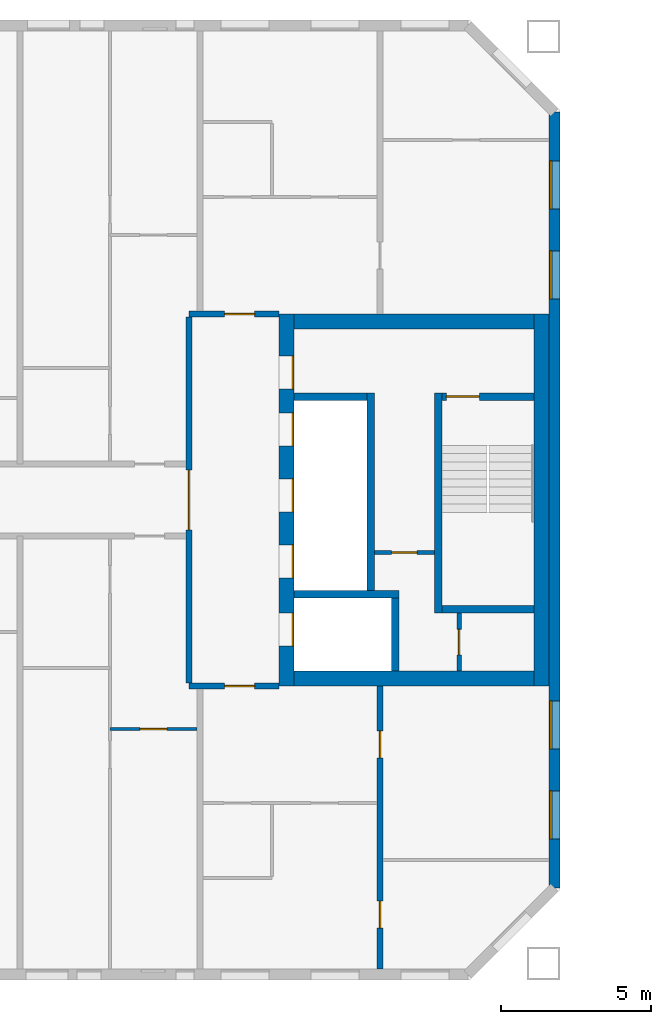
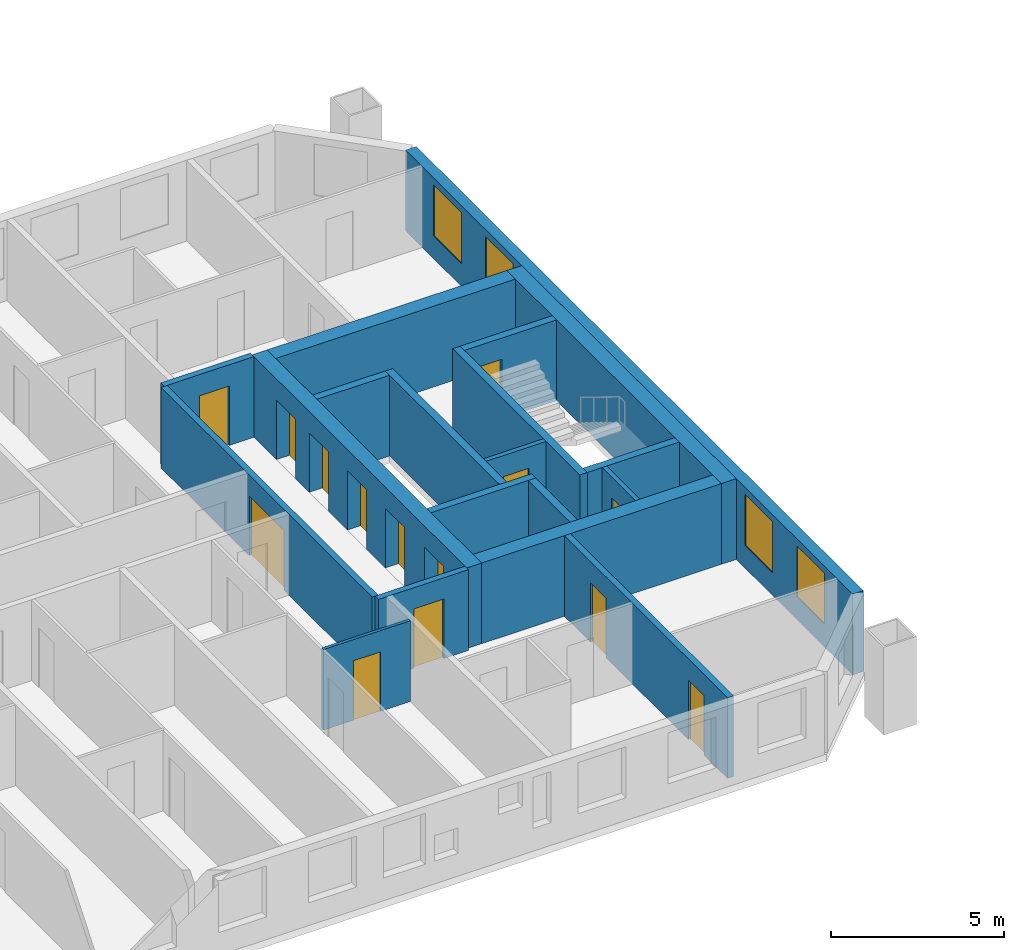
# One storey, part 7 of 16: 19 walls, 14 doors, 4 windows, 18 openings.
"""IFC4 building model written with IfcOpenShell, lengths in metres."""

from ifc_helpers import new_model, si_unit, direction, frame, frame_2d, origin, place, context, subcontext, project, spatial, rectangle, extrude, material, layer, layer_set, type_object, element, fill, save


model = new_model("IFC4")

# Units and contexts
model_context = context("Model", 3, precision=1e-05, world=origin(), true_north=direction((0.0, 1.0)))
body_context = subcontext(model_context, "Body", "Model", "MODEL_VIEW")
ifc_project = project(units=[si_unit("LENGTHUNIT", "METRE"), si_unit("AREAUNIT", "SQUARE_METRE"), si_unit("VOLUMEUNIT", "CUBIC_METRE"), si_unit("PLANEANGLEUNIT", "RADIAN"), si_unit("MASSUNIT", "GRAM", prefix="KILO")], contexts=[model_context])

# Site, building, storey
site_placement = place(None, origin())
site = spatial("IfcSite", under=ifc_project, at=site_placement, CompositionType="ELEMENT")
building_placement = place(site_placement, origin())
building = spatial("IfcBuilding", under=site, at=building_placement, Name="Tuart Gate Housing", CompositionType="ELEMENT")
storey_placement = place(building_placement, frame((0.0, 0.0, 157.800048828125)))
storey = spatial("IfcBuildingStorey", under=building, at=storey_placement, Name="L44", CompositionType="ELEMENT", Elevation=157.800048828125)

# Wall, openings, windows
ifc_material_1 = material(Name="Brick", Category="masonry")
ifc_layer_1 = layer(ifc_material_1, 0.360107421875)
ifc_layer_set_1 = layer_set([ifc_layer_1], Name="Brick pier and spandrel wall 360")
wall_type_1 = type_object("IfcWallType", Name="Brick pier and spandrel wall 360", PredefinedType="STANDARD", material=ifc_layer_set_1)
wall_1_placement = place(storey_placement, frame((75.820068359375, 57.07470703125, 0.0), z_axis=(0.0, 0.0, 1.0), x_axis=(0.0, 1.0, 0.0)))
wall_1 = element("IfcWall", 1, at=wall_1_placement, inside=storey, type_object=wall_type_1, Name="External wall A-E L44", PredefinedType="STANDARD", context=body_context, shape_type="SweptSolid", body=[
    extrude(rectangle(XDim=25.850830078125, YDim=0.360107421875, at=frame_2d((12.92529296875, 0.0))), origin(), (0.0, 0.0, 1.0), 2.849853515625),
])
opening_1_placement = place(wall_1_placement, frame((1.62548828125, 0.0, 0.800048828125)))
opening_1 = element("IfcOpeningElement", 2, at=opening_1_placement, cuts=wall_1, Name="Opening W1", PredefinedType="OPENING", context=body_context, shape_type="SweptSolid", body=[
    extrude(rectangle(XDim=1.60009765625, YDim=1.800048828125, at=frame_2d((0.800048828125, 0.89990234375))), frame((0.0, 0.18994140625, 0.0), z_axis=(0.0, -1.0, 0.0), x_axis=(1.0, 0.0, 0.0)), (0.0, 0.0, 1.0), 0.380126953125),
])
opening_2_placement = place(wall_1_placement, frame((4.62548828125, 0.0, 0.800048828125)))
opening_2 = element("IfcOpeningElement", 3, at=opening_2_placement, cuts=wall_1, Name="Opening W1", PredefinedType="OPENING", context=body_context, shape_type="SweptSolid", body=[
    extrude(rectangle(XDim=1.60009765625, YDim=1.800048828125, at=frame_2d((0.800048828125, 0.89990234375))), frame((0.0, 0.18994140625, 0.0), z_axis=(0.0, -1.0, 0.0), x_axis=(1.0, 0.0, 0.0)), (0.0, 0.0, 1.0), 0.380126953125),
])
opening_3_placement = place(wall_1_placement, frame((19.62548828125, 0.0, 0.800048828125)))
opening_3 = element("IfcOpeningElement", 4, at=opening_3_placement, cuts=wall_1, Name="Opening W1", PredefinedType="OPENING", context=body_context, shape_type="SweptSolid", body=[
    extrude(rectangle(XDim=1.60009765625, YDim=1.800048828125, at=frame_2d((0.800048828125, 0.89990234375))), frame((0.0, 0.18994140625, 0.0), z_axis=(0.0, -1.0, 0.0), x_axis=(1.0, 0.0, 0.0)), (0.0, 0.0, 1.0), 0.380126953125),
])
opening_4_placement = place(wall_1_placement, frame((22.62548828125, 0.0, 0.800048828125)))
opening_4 = element("IfcOpeningElement", 5, at=opening_4_placement, cuts=wall_1, Name="Opening W1", PredefinedType="OPENING", context=body_context, shape_type="SweptSolid", body=[
    extrude(rectangle(XDim=1.60009765625, YDim=1.800048828125, at=frame_2d((0.800048828125, 0.89990234375))), frame((0.0, 0.18994140625, 0.0), z_axis=(0.0, -1.0, 0.0), x_axis=(1.0, 0.0, 0.0)), (0.0, 0.0, 1.0), 0.380126953125),
])
ifc_material_2 = material(Name="Aluminium frame with clear glass", Category="aluminium")
window_type = type_object("IfcWindowType", Name="Punched window 1600 x 1800", PartitioningType="SINGLE_PANEL", PredefinedType="WINDOW", material=ifc_material_2)
window_1_placement = place(opening_1_placement, origin())
window_1 = element("IfcWindow", 6, at=window_1_placement, inside=storey, type_object=window_type, Name="Window W1", OverallHeight=1.800048828125, OverallWidth=1.60009765625, PartitioningType="SINGLE_PANEL", PredefinedType="WINDOW", context=body_context, shape_type="SweptSolid", body=[
    extrude(rectangle(XDim=1.60009765625, YDim=1.800048828125, at=frame_2d((0.800048828125, 0.89990234375))), frame((0.0, 0.150146484375, 0.0), z_axis=(0.0, -1.0, 0.0), x_axis=(1.0, 0.0, 0.0)), (0.0, 0.0, 1.0), 0.06005859375),
])
fill(opening_1, window_1)
window_2_placement = place(opening_2_placement, origin())
window_2 = element("IfcWindow", 7, at=window_2_placement, inside=storey, type_object=window_type, Name="Window W1", OverallHeight=1.800048828125, OverallWidth=1.60009765625, PartitioningType="SINGLE_PANEL", PredefinedType="WINDOW", context=body_context, shape_type="SweptSolid", body=[
    extrude(rectangle(XDim=1.60009765625, YDim=1.800048828125, at=frame_2d((0.800048828125, 0.89990234375))), frame((0.0, 0.150146484375, 0.0), z_axis=(0.0, -1.0, 0.0), x_axis=(1.0, 0.0, 0.0)), (0.0, 0.0, 1.0), 0.06005859375),
])
fill(opening_2, window_2)
window_3_placement = place(opening_3_placement, origin())
window_3 = element("IfcWindow", 8, at=window_3_placement, inside=storey, type_object=window_type, Name="Window W1", OverallHeight=1.800048828125, OverallWidth=1.60009765625, PartitioningType="SINGLE_PANEL", PredefinedType="WINDOW", context=body_context, shape_type="SweptSolid", body=[
    extrude(rectangle(XDim=1.60009765625, YDim=1.800048828125, at=frame_2d((0.800048828125, 0.89990234375))), frame((0.0, 0.150146484375, 0.0), z_axis=(0.0, -1.0, 0.0), x_axis=(1.0, 0.0, 0.0)), (0.0, 0.0, 1.0), 0.06005859375),
])
fill(opening_3, window_3)
window_4_placement = place(opening_4_placement, origin())
window_4 = element("IfcWindow", 9, at=window_4_placement, inside=storey, type_object=window_type, Name="Window W1", OverallHeight=1.800048828125, OverallWidth=1.60009765625, PartitioningType="SINGLE_PANEL", PredefinedType="WINDOW", context=body_context, shape_type="SweptSolid", body=[
    extrude(rectangle(XDim=1.60009765625, YDim=1.800048828125, at=frame_2d((0.800048828125, 0.89990234375))), frame((0.0, 0.150146484375, 0.0), z_axis=(0.0, -1.0, 0.0), x_axis=(1.0, 0.0, 0.0)), (0.0, 0.0, 1.0), 0.06005859375),
])
fill(opening_4, window_4)

# Wall, opening, door
ifc_material_3 = material(Name="Plasterboard partition")
ifc_layer_2 = layer(ifc_material_3, 0.14990234375)
ifc_layer_set_2 = layer_set([ifc_layer_2], Name="Core partition 150")
wall_type_2 = type_object("IfcWallType", Name="Core partition 150", PredefinedType="PARTITIONING", material=ifc_layer_set_2)
wall_2_placement = place(storey_placement, frame((69.81494140625, 68.25, 0.0), z_axis=(0.0, 0.0, 1.0), x_axis=(1.0, 0.0, 0.0)))
wall_2 = element("IfcWall", 10, at=wall_2_placement, inside=storey, type_object=wall_type_2, Name="Core partition AG.3", PredefinedType="PARTITIONING", context=body_context, shape_type="SweptSolid", body=[
    extrude(rectangle(XDim=2.0, YDim=0.14990234375, at=frame_2d((1.0, 0.0))), origin(), (0.0, 0.0, 1.0), 2.849853515625),
])
opening_5_placement = place(wall_2_placement, frame((0.574951171875, 0.0, 0.0)))
opening_5 = element("IfcOpeningElement", 11, at=opening_5_placement, cuts=wall_2, Name="Opening D1658", PredefinedType="OPENING", context=body_context, shape_type="SweptSolid", body=[
    extrude(rectangle(XDim=0.85009765625, YDim=2.10009765625, at=frame_2d((0.425048828125, 1.050048828125))), frame((0.0, 0.0849609375, 0.0), z_axis=(0.0, -1.0, 0.0), x_axis=(1.0, 0.0, 0.0)), (0.0, 0.0, 1.0), 0.169921875),
])
ifc_material_4 = material(Name="Steel fire door", Category="steel")
door_type_1 = type_object("IfcDoorType", Name="Riser door 850 x 2100 RH", OperationType="SINGLE_SWING_RIGHT", PredefinedType="DOOR", material=ifc_material_4)
door_1_placement = place(opening_5_placement, frame((0.85009765625, 0.0, 0.0), z_axis=(0.0, 0.0, 1.0), x_axis=(-1.0, 0.0, 0.0)))
door_1 = element("IfcDoor", 12, at=door_1_placement, inside=storey, type_object=door_type_1, Name="Service room door AG.E1", OperationType="SINGLE_SWING_RIGHT", OverallHeight=2.10009765625, OverallWidth=0.85009765625, PredefinedType="DOOR", context=body_context, shape_type="SweptSolid", body=[
    extrude(rectangle(XDim=0.85009765625, YDim=2.10009765625, at=frame_2d((0.425048828125, 1.050048828125))), frame((0.0, 0.025146484375, 0.0), z_axis=(0.0, -1.0, 0.0), x_axis=(1.0, 0.0, 0.0)), (0.0, 0.0, 1.0), 0.050048828125),
])
fill(opening_5, door_1)

wall_3_placement = place(storey_placement, frame((72.639892578125, 64.300048828125, 0.0), z_axis=(0.0, 0.0, 1.0), x_axis=(0.0, 1.0, 0.0)))
wall_3 = element("IfcWall", 13, at=wall_3_placement, inside=storey, type_object=wall_type_2, Name="Core partition AG.9", PredefinedType="PARTITIONING", context=body_context, shape_type="SweptSolid", body=[
    extrude(rectangle(XDim=1.925048828125, YDim=0.14990234375, at=frame_2d((0.96240234375, 0.0))), origin(), (0.0, 0.0, 1.0), 2.849853515625),
])
opening_6_placement = place(wall_3_placement, frame((0.53759765625, 0.0, 0.0)))
opening_6 = element("IfcOpeningElement", 14, at=opening_6_placement, cuts=wall_3, Name="Opening D1660", PredefinedType="OPENING", context=body_context, shape_type="SweptSolid", body=[
    extrude(rectangle(XDim=0.85009765625, YDim=2.10009765625, at=frame_2d((0.425048828125, 1.050048828125))), frame((0.0, 0.0849609375, 0.0), z_axis=(0.0, -1.0, 0.0), x_axis=(1.0, 0.0, 0.0)), (0.0, 0.0, 1.0), 0.169921875),
])
ifc_material_5 = material(Name="Steel fire door", Category="steel")
door_type_2 = type_object("IfcDoorType", Name="Service door 850 x 2100", OperationType="SINGLE_SWING_LEFT", PredefinedType="DOOR", material=ifc_material_5)
door_2_placement = place(opening_6_placement, origin())
door_2 = element("IfcDoor", 15, at=door_2_placement, inside=storey, type_object=door_type_2, Name="Service room door AG.E2", OperationType="SINGLE_SWING_LEFT", OverallHeight=2.10009765625, OverallWidth=0.85009765625, PredefinedType="DOOR", context=body_context, shape_type="SweptSolid", body=[
    extrude(rectangle(XDim=0.85009765625, YDim=2.10009765625, at=frame_2d((0.425048828125, 1.050048828125))), frame((0.0, 0.02490234375, 0.0), z_axis=(0.0, -1.0, 0.0), x_axis=(1.0, 0.0, 0.0)), (0.0, 0.0, 1.0), 0.050048828125),
])
fill(opening_6, door_2)

# Walls
ifc_material_6 = material(Name="Concrete C40", Category="concrete")
ifc_layer_3 = layer(ifc_material_6, 0.25)
ifc_layer_set_3 = layer_set([ifc_layer_3], Name="Core wall 250 C40")
wall_type_3 = type_object("IfcWallType", Name="Core wall 250 C40", PredefinedType="SHEAR", material=ifc_layer_set_3)
wall_4_placement = place(storey_placement, frame((72.06494140625, 66.35009765625, 0.0), z_axis=(0.0, 0.0, 1.0), x_axis=(1.0, 0.0, 0.0)))
element("IfcWall", 16, at=wall_4_placement, inside=storey, type_object=wall_type_3, Name="Core wall AG.1", PredefinedType="SHEAR", context=body_context, shape_type="SweptSolid", body=[
    extrude(rectangle(XDim=3.074951171875, YDim=0.25, at=frame_2d((1.53759765625, 0.0))), origin(), (0.0, 0.0, 1.0), 2.849853515625),
])
wall_5_placement = place(storey_placement, frame((67.139892578125, 66.85009765625, 0.0), z_axis=(0.0, 0.0, 1.0), x_axis=(1.0, 0.0, 0.0)))
element("IfcWall", 17, at=wall_5_placement, inside=storey, type_object=wall_type_3, Name="Core wall AG.2", PredefinedType="SHEAR", context=body_context, shape_type="SweptSolid", body=[
    extrude(rectangle(XDim=3.4951171875, YDim=0.25, at=frame_2d((1.74755859375, 0.0))), origin(), (0.0, 0.0, 1.0), 2.849853515625),
])
wall_6_placement = place(storey_placement, frame((67.139892578125, 73.449951171875, 0.0), z_axis=(0.0, 0.0, 1.0), x_axis=(1.0, 0.0, 0.0)))
element("IfcWall", 18, at=wall_6_placement, inside=storey, type_object=wall_type_3, Name="Core wall AG.4", PredefinedType="SHEAR", context=body_context, shape_type="SweptSolid", body=[
    extrude(rectangle(XDim=2.425048828125, YDim=0.25, at=frame_2d((1.21240234375, 0.0))), origin(), (0.0, 0.0, 1.0), 2.849853515625),
])

# Wall, opening, door
wall_7_placement = place(storey_placement, frame((72.06494140625, 73.449951171875, 0.0), z_axis=(0.0, 0.0, 1.0), x_axis=(1.0, 0.0, 0.0)))
wall_7 = element("IfcWall", 19, at=wall_7_placement, inside=storey, type_object=wall_type_3, Name="Core wall AG.5", PredefinedType="SHEAR", context=body_context, shape_type="SweptSolid", body=[
    extrude(rectangle(XDim=3.074951171875, YDim=0.25, at=frame_2d((1.53759765625, 0.0))), origin(), (0.0, 0.0, 1.0), 2.849853515625),
])
opening_7_placement = place(wall_7_placement, frame((0.14990234375, 0.0, 0.0)))
opening_7 = element("IfcOpeningElement", 20, at=opening_7_placement, cuts=wall_7, Name="Opening D1643", PredefinedType="OPENING", context=body_context, shape_type="SweptSolid", body=[
    extrude(rectangle(XDim=1.10009765625, YDim=2.10009765625, at=frame_2d((0.550048828125, 1.050048828125))), frame((0.0, 0.135009765625, 0.0), z_axis=(0.0, -1.0, 0.0), x_axis=(1.0, 0.0, 0.0)), (0.0, 0.0, 1.0), 0.27001953125),
])
ifc_material_7 = material(Name="Steel fire door", Category="steel")
door_type_3 = type_object("IfcDoorType", Name="Stair door 1100 x 2100 RH", OperationType="SINGLE_SWING_RIGHT", PredefinedType="DOOR", material=ifc_material_7)
door_3_placement = place(opening_7_placement, frame((1.10009765625, 0.0, 0.0), z_axis=(0.0, 0.0, 1.0), x_axis=(-1.0, 0.0, 0.0)))
door_3 = element("IfcDoor", 21, at=door_3_placement, inside=storey, type_object=door_type_3, Name="Stair door AG.SD", OperationType="SINGLE_SWING_RIGHT", OverallHeight=2.10009765625, OverallWidth=1.10009765625, PredefinedType="DOOR", context=body_context, shape_type="SweptSolid", body=[
    extrude(rectangle(XDim=1.10009765625, YDim=2.10009765625, at=frame_2d((0.550048828125, 1.050048828125))), frame((0.0, 0.025146484375, 0.0), z_axis=(0.0, -1.0, 0.0), x_axis=(1.0, 0.0, 0.0)), (0.0, 0.0, 1.0), 0.050048828125),
])
fill(opening_7, door_3)

# Walls
wall_8_placement = place(storey_placement, frame((69.68994140625, 66.97509765625, 0.0), z_axis=(0.0, 0.0, 1.0), x_axis=(0.0, 1.0, 0.0)))
element("IfcWall", 22, at=wall_8_placement, inside=storey, type_object=wall_type_3, Name="Core wall AG.6", PredefinedType="SHEAR", context=body_context, shape_type="SweptSolid", body=[
    extrude(rectangle(XDim=6.599853515625, YDim=0.25, at=frame_2d((3.2998046875, 0.0))), origin(), (0.0, 0.0, 1.0), 2.849853515625),
])
wall_9_placement = place(storey_placement, frame((70.510009765625, 64.300048828125, 0.0), z_axis=(0.0, 0.0, 1.0), x_axis=(0.0, 1.0, 0.0)))
element("IfcWall", 23, at=wall_9_placement, inside=storey, type_object=wall_type_3, Name="Core wall AG.7", PredefinedType="SHEAR", context=body_context, shape_type="SweptSolid", body=[
    extrude(rectangle(XDim=2.425048828125, YDim=0.25, at=frame_2d((1.21240234375, 0.0))), origin(), (0.0, 0.0, 1.0), 2.849853515625),
])
wall_10_placement = place(storey_placement, frame((71.93994140625, 66.22509765625, 0.0), z_axis=(0.0, 0.0, 1.0), x_axis=(0.0, 1.0, 0.0)))
element("IfcWall", 24, at=wall_10_placement, inside=storey, type_object=wall_type_3, Name="Core wall AG.8", PredefinedType="SHEAR", context=body_context, shape_type="SweptSolid", body=[
    extrude(rectangle(XDim=7.349853515625, YDim=0.25, at=frame_2d((3.6748046875, 0.0))), origin(), (0.0, 0.0, 1.0), 2.849853515625),
])

# Wall, openings, doors
ifc_material_8 = material(Name="Concrete C40", Category="concrete")
ifc_layer_4 = layer(ifc_material_8, 0.5)
ifc_layer_set_4 = layer_set([ifc_layer_4], Name="Core wall 500 C40")
wall_type_4 = type_object("IfcWallType", Name="Core wall 500 C40", PredefinedType="SHEAR", material=ifc_layer_set_4)
wall_11_placement = place(storey_placement, frame((66.889892578125, 63.800048828125, 0.0), z_axis=(0.0, 0.0, 1.0), x_axis=(0.0, 1.0, 0.0)))
wall_11 = element("IfcWall", 25, at=wall_11_placement, inside=storey, type_object=wall_type_4, Name="Core wall AG front", PredefinedType="SHEAR", context=body_context, shape_type="SweptSolid", body=[
    extrude(rectangle(XDim=12.39990234375, YDim=0.5, at=frame_2d((6.199951171875, 0.0))), origin(), (0.0, 0.0, 1.0), 2.849853515625),
])
opening_8_placement = place(wall_11_placement, frame((1.324951171875, 0.0, 0.0)))
opening_8 = element("IfcOpeningElement", 26, at=opening_8_placement, cuts=wall_11, Name="Opening LD-FA1", PredefinedType="OPENING", context=body_context, shape_type="SweptSolid", body=[
    extrude(rectangle(XDim=1.10009765625, YDim=2.10009765625, at=frame_2d((0.550048828125, 1.050048828125))), frame((0.0, 0.260009765625, 0.0), z_axis=(0.0, -1.0, 0.0), x_axis=(1.0, 0.0, 0.0)), (0.0, 0.0, 1.0), 0.52001953125),
])
opening_9_placement = place(wall_11_placement, frame((3.60009765625, 0.0, 0.0)))
opening_9 = element("IfcOpeningElement", 27, at=opening_9_placement, cuts=wall_11, Name="Opening LD-LA1", PredefinedType="OPENING", context=body_context, shape_type="SweptSolid", body=[
    extrude(rectangle(XDim=1.10009765625, YDim=2.10009765625, at=frame_2d((0.550048828125, 1.050048828125))), frame((0.0, 0.260009765625, 0.0), z_axis=(0.0, -1.0, 0.0), x_axis=(1.0, 0.0, 0.0)), (0.0, 0.0, 1.0), 0.52001953125),
])
opening_10_placement = place(wall_11_placement, frame((5.800048828125, 0.0, 0.0)))
opening_10 = element("IfcOpeningElement", 28, at=opening_10_placement, cuts=wall_11, Name="Opening LD-LA2", PredefinedType="OPENING", context=body_context, shape_type="SweptSolid", body=[
    extrude(rectangle(XDim=1.10009765625, YDim=2.10009765625, at=frame_2d((0.550048828125, 1.050048828125))), frame((0.0, 0.260009765625, 0.0), z_axis=(0.0, -1.0, 0.0), x_axis=(1.0, 0.0, 0.0)), (0.0, 0.0, 1.0), 0.52001953125),
])
opening_11_placement = place(wall_11_placement, frame((8.0, 0.0, 0.0)))
opening_11 = element("IfcOpeningElement", 29, at=opening_11_placement, cuts=wall_11, Name="Opening LD-LA3", PredefinedType="OPENING", context=body_context, shape_type="SweptSolid", body=[
    extrude(rectangle(XDim=1.10009765625, YDim=2.10009765625, at=frame_2d((0.550048828125, 1.050048828125))), frame((0.0, 0.260009765625, 0.0), z_axis=(0.0, -1.0, 0.0), x_axis=(1.0, 0.0, 0.0)), (0.0, 0.0, 1.0), 0.52001953125),
])
opening_12_placement = place(wall_11_placement, frame((9.89990234375, 0.0, 0.0)))
opening_12 = element("IfcOpeningElement", 30, at=opening_12_placement, cuts=wall_11, Name="Opening D1654", PredefinedType="OPENING", context=body_context, shape_type="SweptSolid", body=[
    extrude(rectangle(XDim=1.10009765625, YDim=2.10009765625, at=frame_2d((0.550048828125, 1.050048828125))), frame((0.0, 0.260009765625, 0.0), z_axis=(0.0, -1.0, 0.0), x_axis=(1.0, 0.0, 0.0)), (0.0, 0.0, 1.0), 0.52001953125),
])
ifc_material_9 = material(Name="Stainless steel", Category="steel")
door_type_4 = type_object("IfcDoorType", Name="Landing door 1100 x 2100", OperationType="DOUBLE_DOOR_SLIDING", PredefinedType="DOOR", material=ifc_material_9)
door_4_placement = place(opening_8_placement, origin())
door_4 = element("IfcDoor", 31, at=door_4_placement, inside=storey, type_object=door_type_4, Name="Lift landing door FA1", OperationType="DOUBLE_DOOR_SLIDING", OverallHeight=2.10009765625, OverallWidth=1.10009765625, PredefinedType="DOOR", context=body_context, shape_type="SweptSolid", body=[
    extrude(rectangle(XDim=1.10009765625, YDim=2.10009765625, at=frame_2d((0.550048828125, 1.050048828125))), frame((0.0, -0.18505859375, 0.0), z_axis=(0.0, -1.0, 0.0), x_axis=(1.0, 0.0, 0.0)), (0.0, 0.0, 1.0), 0.050048828125),
])
fill(opening_8, door_4)
door_5_placement = place(opening_9_placement, origin())
door_5 = element("IfcDoor", 32, at=door_5_placement, inside=storey, type_object=door_type_4, Name="Lift landing door LA1", OperationType="DOUBLE_DOOR_SLIDING", OverallHeight=2.10009765625, OverallWidth=1.10009765625, PredefinedType="DOOR", context=body_context, shape_type="SweptSolid", body=[
    extrude(rectangle(XDim=1.10009765625, YDim=2.10009765625, at=frame_2d((0.550048828125, 1.050048828125))), frame((0.0, -0.18505859375, 0.0), z_axis=(0.0, -1.0, 0.0), x_axis=(1.0, 0.0, 0.0)), (0.0, 0.0, 1.0), 0.050048828125),
])
fill(opening_9, door_5)
door_6_placement = place(opening_10_placement, origin())
door_6 = element("IfcDoor", 33, at=door_6_placement, inside=storey, type_object=door_type_4, Name="Lift landing door LA2", OperationType="DOUBLE_DOOR_SLIDING", OverallHeight=2.10009765625, OverallWidth=1.10009765625, PredefinedType="DOOR", context=body_context, shape_type="SweptSolid", body=[
    extrude(rectangle(XDim=1.10009765625, YDim=2.10009765625, at=frame_2d((0.550048828125, 1.050048828125))), frame((0.0, -0.18505859375, 0.0), z_axis=(0.0, -1.0, 0.0), x_axis=(1.0, 0.0, 0.0)), (0.0, 0.0, 1.0), 0.050048828125),
])
fill(opening_10, door_6)
door_7_placement = place(opening_11_placement, origin())
door_7 = element("IfcDoor", 34, at=door_7_placement, inside=storey, type_object=door_type_4, Name="Lift landing door LA3", OperationType="DOUBLE_DOOR_SLIDING", OverallHeight=2.10009765625, OverallWidth=1.10009765625, PredefinedType="DOOR", context=body_context, shape_type="SweptSolid", body=[
    extrude(rectangle(XDim=1.10009765625, YDim=2.10009765625, at=frame_2d((0.550048828125, 1.050048828125))), frame((0.0, -0.18505859375, 0.0), z_axis=(0.0, -1.0, 0.0), x_axis=(1.0, 0.0, 0.0)), (0.0, 0.0, 1.0), 0.050048828125),
])
fill(opening_11, door_7)
ifc_material_10 = material(Name="Steel fire door", Category="steel")
door_type_5 = type_object("IfcDoorType", Name="Lobby door 1100 x 2100 RH", OperationType="SINGLE_SWING_RIGHT", PredefinedType="DOOR", material=ifc_material_10)
door_8_placement = place(opening_12_placement, frame((1.10009765625, 0.0, 0.0), z_axis=(0.0, 0.0, 1.0), x_axis=(-1.0, 0.0, 0.0)))
door_8 = element("IfcDoor", 35, at=door_8_placement, inside=storey, type_object=door_type_5, Name="Lobby entry door AG.EN", OperationType="SINGLE_SWING_RIGHT", OverallHeight=2.10009765625, OverallWidth=1.10009765625, PredefinedType="DOOR", context=body_context, shape_type="SweptSolid", body=[
    extrude(rectangle(XDim=1.10009765625, YDim=2.10009765625, at=frame_2d((0.550048828125, 1.050048828125))), frame((0.0, 0.235107421875, 0.0), z_axis=(0.0, -1.0, 0.0), x_axis=(1.0, 0.0, 0.0)), (0.0, 0.0, 1.0), 0.050048828125),
])
fill(opening_12, door_8)

# Walls
wall_12_placement = place(storey_placement, frame((75.389892578125, 63.800048828125, 0.0), z_axis=(0.0, 0.0, 1.0), x_axis=(0.0, 1.0, 0.0)))
element("IfcWall", 36, at=wall_12_placement, inside=storey, type_object=wall_type_4, Name="Core wall AG back", PredefinedType="SHEAR", context=body_context, shape_type="SweptSolid", body=[
    extrude(rectangle(XDim=12.39990234375, YDim=0.5, at=frame_2d((6.199951171875, 0.0))), origin(), (0.0, 0.0, 1.0), 2.849853515625),
])
for number, where, z_axis, x_axis, name in (
    (37, (67.139892578125, 64.050048828125, 0.0), (0.0, 0.0, 1.0), (1.0, 0.0, 0.0), "Core wall AG south"),
    (38, (67.139892578125, 75.949951171875, 0.0), (0.0, 0.0, 1.0), (1.0, 0.0, 0.0), "Core wall AG north"),
):
    element("IfcWall", number, at=place(storey_placement, frame(where, z_axis=z_axis, x_axis=x_axis)), inside=storey, type_object=wall_type_4, Name=name, PredefinedType="SHEAR", context=body_context, shape_type="SweptSolid", body=[
        extrude(rectangle(XDim=8.0, YDim=0.5, at=frame_2d((4.0, 0.0))), origin(), (0.0, 0.0, 1.0), 2.849853515625),
    ])

# Wall, opening, door
ifc_material_11 = material(Name="Concrete masonry 15 MPa", Category="masonry")
ifc_layer_5 = layer(ifc_material_11, 0.199951171875)
ifc_layer_set_5 = layer_set([ifc_layer_5], Name="Enclosure wall masonry 200")
wall_type_5 = type_object("IfcWallType", Name="Enclosure wall masonry 200", PredefinedType="PARTITIONING", material=ifc_layer_set_5)
wall_13_placement = place(storey_placement, frame((63.639892578125, 63.800048828125, 0.0), z_axis=(0.0, 0.0, 1.0), x_axis=(1.0, 0.0, 0.0)))
wall_13 = element("IfcWall", 39, at=wall_13_placement, inside=storey, type_object=wall_type_5, Name="Enclosure wall masonry 200", PredefinedType="PARTITIONING", context=body_context, shape_type="SweptSolid", body=[
    extrude(rectangle(XDim=3.0, YDim=0.199951171875, at=frame_2d((1.5, 0.0))), origin(), (0.0, 0.0, 1.0), 2.849853515625),
])
opening_13_placement = place(wall_13_placement, frame((1.179931640625, 0.0, 0.0)))
opening_13 = element("IfcOpeningElement", 40, at=opening_13_placement, cuts=wall_13, Name="Opening D1662", PredefinedType="OPENING", context=body_context, shape_type="SweptSolid", body=[
    extrude(rectangle(XDim=1.0, YDim=2.10009765625, at=frame_2d((0.5, 1.050048828125))), frame((0.0, 0.10986328125, 0.0), z_axis=(0.0, -1.0, 0.0), x_axis=(1.0, 0.0, 0.0)), (0.0, 0.0, 1.0), 0.219970703125),
])
ifc_material_12 = material(Name="Timber door leaf in steel frame", Category="steel")
door_type_6 = type_object("IfcDoorType", Name="Flat entrance door 1000 RH", OperationType="SINGLE_SWING_RIGHT", PredefinedType="DOOR", material=ifc_material_12)
door_9_placement = place(opening_13_placement, frame((1.0, 0.0, 0.0), z_axis=(0.0, 0.0, 1.0), x_axis=(-1.0, 0.0, 0.0)))
door_9 = element("IfcDoor", 41, at=door_9_placement, inside=storey, type_object=door_type_6, Name="Flat entrance door", OperationType="SINGLE_SWING_RIGHT", OverallHeight=2.10009765625, OverallWidth=1.0, PredefinedType="DOOR", context=body_context, shape_type="SweptSolid", body=[
    extrude(rectangle(XDim=1.0, YDim=2.10009765625, at=frame_2d((0.5, 1.050048828125))), frame((0.0, 0.025146484375, 0.0), z_axis=(0.0, -1.0, 0.0), x_axis=(1.0, 0.0, 0.0)), (0.0, 0.0, 1.0), 0.050048828125),
])
fill(opening_13, door_9)

wall_14_placement = place(storey_placement, frame((63.639892578125, 76.199951171875, 0.0), z_axis=(0.0, 0.0, 1.0), x_axis=(1.0, 0.0, 0.0)))
wall_14 = element("IfcWall", 42, at=wall_14_placement, inside=storey, type_object=wall_type_5, Name="Enclosure wall masonry 200", PredefinedType="PARTITIONING", context=body_context, shape_type="SweptSolid", body=[
    extrude(rectangle(XDim=3.0, YDim=0.199951171875, at=frame_2d((1.5, 0.0))), origin(), (0.0, 0.0, 1.0), 2.849853515625),
])
opening_14_placement = place(wall_14_placement, frame((1.179931640625, 0.0, 0.0)))
opening_14 = element("IfcOpeningElement", 43, at=opening_14_placement, cuts=wall_14, Name="Opening D1642", PredefinedType="OPENING", context=body_context, shape_type="SweptSolid", body=[
    extrude(rectangle(XDim=1.0, YDim=2.10009765625, at=frame_2d((0.5, 1.050048828125))), frame((0.0, 0.10986328125, 0.0), z_axis=(0.0, -1.0, 0.0), x_axis=(1.0, 0.0, 0.0)), (0.0, 0.0, 1.0), 0.219970703125),
])
ifc_material_13 = material(Name="Timber door leaf in steel frame", Category="steel")
door_type_7 = type_object("IfcDoorType", Name="Flat entrance door 1000", OperationType="SINGLE_SWING_LEFT", PredefinedType="DOOR", material=ifc_material_13)
door_10_placement = place(opening_14_placement, origin())
door_10 = element("IfcDoor", 44, at=door_10_placement, inside=storey, type_object=door_type_7, Name="Flat entrance door", OperationType="SINGLE_SWING_LEFT", OverallHeight=2.10009765625, OverallWidth=1.0, PredefinedType="DOOR", context=body_context, shape_type="SweptSolid", body=[
    extrude(rectangle(XDim=1.0, YDim=2.10009765625, at=frame_2d((0.5, 1.050048828125))), frame((0.0, 0.02490234375, 0.0), z_axis=(0.0, -1.0, 0.0), x_axis=(1.0, 0.0, 0.0)), (0.0, 0.0, 1.0), 0.050048828125),
])
fill(opening_14, door_10)

ifc_material_14 = material(Name="Plasterboard partition")
ifc_layer_6 = layer(ifc_material_14, 0.199951171875)
ifc_layer_set_6 = layer_set([ifc_layer_6], Name="Lobby wall 200")
wall_type_6 = type_object("IfcWallType", Name="Lobby wall 200", PredefinedType="PARTITIONING", material=ifc_layer_set_6)
wall_15_placement = place(storey_placement, frame((63.639892578125, 63.89990234375, 0.0), z_axis=(0.0, 0.0, 1.0), x_axis=(0.0, 1.0, 0.0)))
wall_15 = element("IfcWall", 45, at=wall_15_placement, inside=storey, type_object=wall_type_6, Name="Lift lobby wall AG", PredefinedType="PARTITIONING", context=body_context, shape_type="SweptSolid", body=[
    extrude(rectangle(XDim=12.2001953125, YDim=0.199951171875, at=frame_2d((6.10009765625, 0.0))), origin(), (0.0, 0.0, 1.0), 2.849853515625),
])
opening_15_placement = place(wall_15_placement, frame((5.10009765625, 0.0, 0.0)))
opening_15 = element("IfcOpeningElement", 46, at=opening_15_placement, cuts=wall_15, Name="Opening D1653", PredefinedType="OPENING", context=body_context, shape_type="SweptSolid", body=[
    extrude(rectangle(XDim=2.0, YDim=2.10009765625, at=frame_2d((1.0, 1.050048828125))), frame((0.0, 0.10986328125, 0.0), z_axis=(0.0, -1.0, 0.0), x_axis=(1.0, 0.0, 0.0)), (0.0, 0.0, 1.0), 0.219970703125),
])
ifc_material_15 = material(Name="Steel fire door", Category="steel")
door_type_8 = type_object("IfcDoorType", Name="Smoke door 2000 x 2100", OperationType="DOUBLE_DOOR_SINGLE_SWING", PredefinedType="DOOR", material=ifc_material_15)
door_11_placement = place(opening_15_placement, frame((2.0, 0.0, 0.0), z_axis=(0.0, 0.0, 1.0), x_axis=(-1.0, 0.0, 0.0)))
door_11 = element("IfcDoor", 47, at=door_11_placement, inside=storey, type_object=door_type_8, Name="Lift lobby smoke door AG", OperationType="DOUBLE_DOOR_SINGLE_SWING", OverallHeight=2.10009765625, OverallWidth=2.0, PredefinedType="DOOR", context=body_context, shape_type="SweptSolid", body=[
    extrude(rectangle(XDim=2.0, YDim=2.10009765625, at=frame_2d((1.0, 1.050048828125))), frame((0.0, 0.025146484375, 0.0), z_axis=(0.0, -1.0, 0.0), x_axis=(1.0, 0.0, 0.0)), (0.0, 0.0, 1.0), 0.050048828125),
])
fill(opening_15, door_11)

ifc_material_16 = material(Name="Gypsum board on steel studs", Category="steel")
ifc_layer_7 = layer(ifc_material_16, 0.10009765625)
ifc_layer_set_7 = layer_set([ifc_layer_7], Name="Partition 100")
wall_type_7 = type_object("IfcWallType", Name="Partition 100", PredefinedType="PARTITIONING", material=ifc_layer_set_7)
wall_16_placement = place(storey_placement, frame((61.0, 62.360107421875, 0.0), z_axis=(0.0, 0.0, 1.0), x_axis=(1.0, 0.0, 0.0)))
wall_16 = element("IfcWall", 48, at=wall_16_placement, inside=storey, type_object=wall_type_7, Name="Partition 100", PredefinedType="PARTITIONING", context=body_context, shape_type="SweptSolid", body=[
    extrude(rectangle(XDim=2.89990234375, YDim=0.10009765625, at=frame_2d((1.449951171875, 0.0))), origin(), (0.0, 0.0, 1.0), 2.849853515625),
])
opening_16_placement = place(wall_16_placement, frame((1.0, 0.0, 0.0)))
opening_16 = element("IfcOpeningElement", 49, at=opening_16_placement, cuts=wall_16, Name="Opening D1663", PredefinedType="OPENING", context=body_context, shape_type="SweptSolid", body=[
    extrude(rectangle(XDim=0.89990234375, YDim=2.10009765625, at=frame_2d((0.449951171875, 1.050048828125))), frame((0.0, 0.06005859375, 0.0), z_axis=(0.0, -1.0, 0.0), x_axis=(1.0, 0.0, 0.0)), (0.0, 0.0, 1.0), 0.1201171875),
])
ifc_material_17 = material(Name="Timber door leaf in steel frame", Category="steel")
door_type_9 = type_object("IfcDoorType", Name="Internal door 900", OperationType="SINGLE_SWING_LEFT", PredefinedType="DOOR", material=ifc_material_17)
door_12_placement = place(opening_16_placement, origin())
door_12 = element("IfcDoor", 50, at=door_12_placement, inside=storey, type_object=door_type_9, Name="Internal door", OperationType="SINGLE_SWING_LEFT", OverallHeight=2.10009765625, OverallWidth=0.89990234375, PredefinedType="DOOR", context=body_context, shape_type="SweptSolid", body=[
    extrude(rectangle(XDim=0.89990234375, YDim=2.10009765625, at=frame_2d((0.449951171875, 1.050048828125))), frame((0.0, 0.02490234375, 0.0), z_axis=(0.0, -1.0, 0.0), x_axis=(1.0, 0.0, 0.0)), (0.0, 0.0, 1.0), 0.050048828125),
])
fill(opening_16, door_12)

# Wall, openings, doors
ifc_material_18 = material(Name="Concrete C40", Category="concrete")
ifc_layer_8 = layer(ifc_material_18, 0.199951171875)
ifc_layer_set_8 = layer_set([ifc_layer_8], Name="Party wall concrete C40 200")
wall_type_8 = type_object("IfcWallType", Name="Party wall concrete C40 200", PredefinedType="SOLIDWALL", material=ifc_layer_set_8)
wall_17_placement = place(storey_placement, frame((70.0, 54.360107421875, 0.0), z_axis=(0.0, 0.0, 1.0), x_axis=(0.0, 1.0, 0.0)))
wall_17 = element("IfcWall", 51, at=wall_17_placement, inside=storey, type_object=wall_type_8, Name="Party wall concrete C40 200", PredefinedType="SOLIDWALL", context=body_context, shape_type="SweptSolid", body=[
    extrude(rectangle(XDim=9.43994140625, YDim=0.199951171875, at=frame_2d((4.719970703125, 0.0))), origin(), (0.0, 0.0, 1.0), 2.849853515625),
])
opening_17_placement = place(wall_17_placement, frame((1.3701171875, 0.0, 0.0)))
opening_17 = element("IfcOpeningElement", 52, at=opening_17_placement, cuts=wall_17, Name="Opening D1677", PredefinedType="OPENING", context=body_context, shape_type="SweptSolid", body=[
    extrude(rectangle(XDim=0.89990234375, YDim=2.10009765625, at=frame_2d((0.449951171875, 1.050048828125))), frame((0.0, 0.10986328125, 0.0), z_axis=(0.0, -1.0, 0.0), x_axis=(1.0, 0.0, 0.0)), (0.0, 0.0, 1.0), 0.219970703125),
])
opening_18_placement = place(wall_17_placement, frame((7.0400390625, 0.0, 0.0)))
opening_18 = element("IfcOpeningElement", 53, at=opening_18_placement, cuts=wall_17, Name="Opening D1678", PredefinedType="OPENING", context=body_context, shape_type="SweptSolid", body=[
    extrude(rectangle(XDim=0.89990234375, YDim=2.10009765625, at=frame_2d((0.449951171875, 1.050048828125))), frame((0.0, 0.10986328125, 0.0), z_axis=(0.0, -1.0, 0.0), x_axis=(1.0, 0.0, 0.0)), (0.0, 0.0, 1.0), 0.219970703125),
])
door_13_placement = place(opening_18_placement, frame((0.89990234375, 0.0, 0.0), z_axis=(0.0, 0.0, 1.0), x_axis=(-1.0, 0.0, 0.0)))
door_13 = element("IfcDoor", 54, at=door_13_placement, inside=storey, type_object=door_type_9, Name="Internal door", OperationType="SINGLE_SWING_LEFT", OverallHeight=2.10009765625, OverallWidth=0.89990234375, PredefinedType="DOOR", context=body_context, shape_type="SweptSolid", body=[
    extrude(rectangle(XDim=0.89990234375, YDim=2.10009765625, at=frame_2d((0.449951171875, 1.050048828125))), frame((0.0, 0.025146484375, 0.0), z_axis=(0.0, -1.0, 0.0), x_axis=(1.0, 0.0, 0.0)), (0.0, 0.0, 1.0), 0.050048828125),
])
fill(opening_18, door_13)
ifc_material_19 = material(Name="Timber door leaf in steel frame", Category="steel")
door_type_10 = type_object("IfcDoorType", Name="Internal door 900 RH", OperationType="SINGLE_SWING_RIGHT", PredefinedType="DOOR", material=ifc_material_19)
door_14_placement = place(opening_17_placement, frame((0.89990234375, 0.0, 0.0), z_axis=(0.0, 0.0, 1.0), x_axis=(-1.0, 0.0, 0.0)))
door_14 = element("IfcDoor", 55, at=door_14_placement, inside=storey, type_object=door_type_10, Name="Internal door", OperationType="SINGLE_SWING_RIGHT", OverallHeight=2.10009765625, OverallWidth=0.89990234375, PredefinedType="DOOR", context=body_context, shape_type="SweptSolid", body=[
    extrude(rectangle(XDim=0.89990234375, YDim=2.10009765625, at=frame_2d((0.449951171875, 1.050048828125))), frame((0.0, 0.025146484375, 0.0), z_axis=(0.0, -1.0, 0.0), x_axis=(1.0, 0.0, 0.0)), (0.0, 0.0, 1.0), 0.050048828125),
])
fill(opening_17, door_14)

save(model, "model.ifc")
